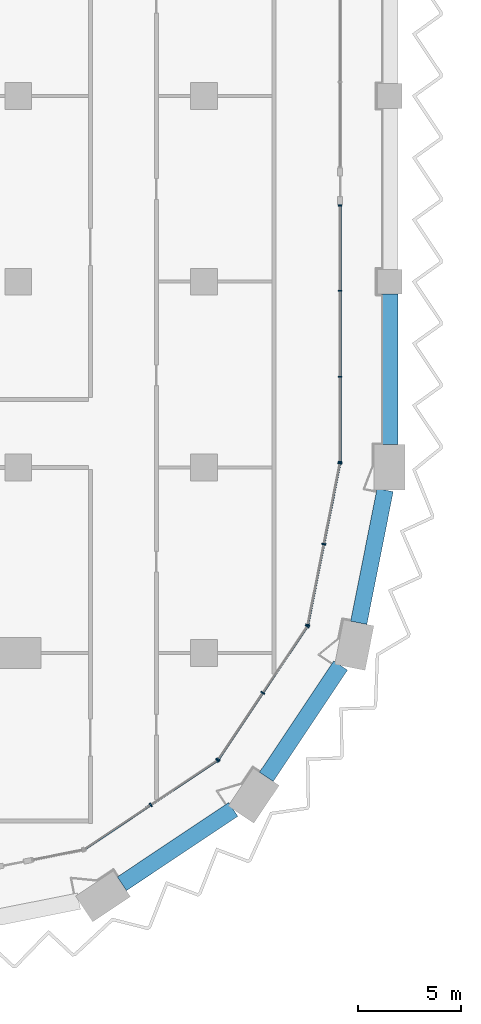
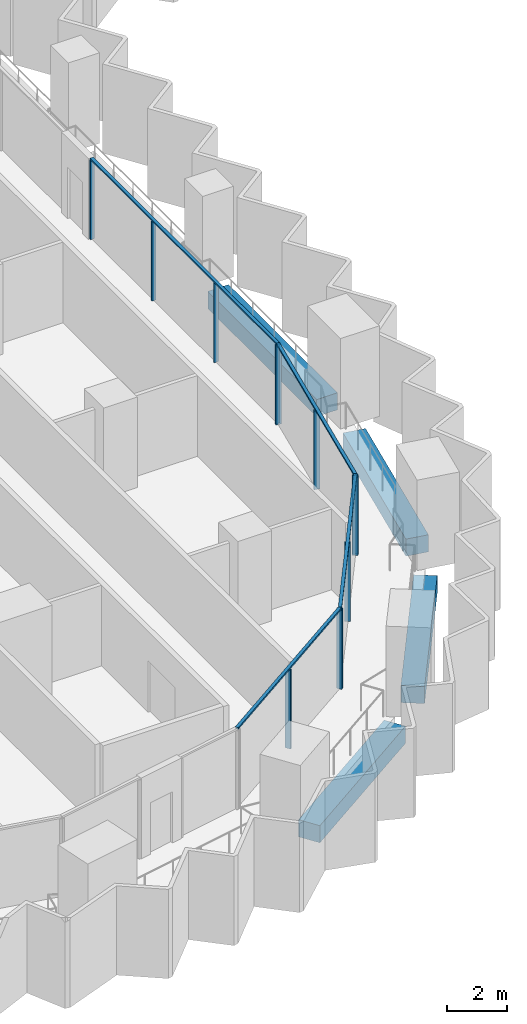
# One storey, part 3 of 23: 16 members, 4 beams, 4 elements without a shape of their own.
"""IFC4 building model written with IfcOpenShell, lengths in metres."""

from ifc_helpers import new_model, si_unit, direction, frame, origin, origin_2d, place, context, subcontext, project, spatial, rectangle, extrude, material, material_profile, profile_set, type_object, element, aggregate, save


model = new_model("IFC4")

# Units and contexts
model_context = context("Model", 3, precision=1e-05, world=origin(), true_north=direction((0.0, 1.0)))
body_context = subcontext(model_context, "Body", "Model", "MODEL_VIEW")
ifc_project = project(units=[si_unit("LENGTHUNIT", "METRE"), si_unit("AREAUNIT", "SQUARE_METRE"), si_unit("VOLUMEUNIT", "CUBIC_METRE"), si_unit("PLANEANGLEUNIT", "RADIAN"), si_unit("MASSUNIT", "GRAM", prefix="KILO")], contexts=[model_context])

# Site, building, storey
site_placement = place(None, origin())
site = spatial("IfcSite", under=ifc_project, at=site_placement, CompositionType="ELEMENT")
building_placement = place(site_placement, origin())
building = spatial("IfcBuilding", under=site, at=building_placement, Name="Hunhe Ridgeline Campus", CompositionType="ELEMENT")
storey_placement = place(building_placement, frame((0.0, 0.0, 121.800048828125)))
storey = spatial("IfcBuildingStorey", under=building, at=storey_placement, Name="L30", CompositionType="ELEMENT", Elevation=121.800048828125)

# Curtain wall, members
ifc_material_1 = material(Name="Aluminium 6063", Category="aluminium")
curtain_wall_type_1 = type_object("IfcCurtainWallType", Name="Curtain wall CW-1", PredefinedType="NOTDEFINED", material=ifc_material_1)
curtain_wall_1_placement = place(storey_placement, origin())
curtain_wall_1 = element("IfcCurtainWall", 1, at=curtain_wall_1_placement, inside=storey, type_object=curtain_wall_type_1, Name="Curtain wall 11", PredefinedType="NOTDEFINED")
ifc_material_profile_1 = material_profile(ifc_material_1, rectangle(XDim=0.159912109375, YDim=0.06005859375, at=origin_2d()))
ifc_profile_set_1 = profile_set([ifc_material_profile_1], Name="Aluminium 6063")
member_type_1 = type_object("IfcMemberType", Name="CW-1 aluminium mullion", PredefinedType="MULLION", material=ifc_profile_set_1)
member_1_placement = place(storey_placement, frame((42.59912109375, 27.266357421875, 0.0), z_axis=(0.0, 0.0, 1.0), x_axis=(-0.99999999994, 1.0975712e-05, 0.0)))
member_1 = element("IfcMember", 2, at=member_1_placement, type_object=member_type_1, Name="CW-1 mullion 1", PredefinedType="MULLION", context=body_context, shape_type="SweptSolid", body=[
    extrude(rectangle(XDim=0.159912109375, YDim=0.06005859375, at=origin_2d()), origin(), (0.0, 0.0, 1.0), 3.239990234375),
])
member_2_placement = place(storey_placement, frame((42.59912109375, 31.397216796875, 0.0), z_axis=(0.0, 0.0, 1.0), x_axis=(-0.99999999994, 1.0975712e-05, 0.0)))
member_2 = element("IfcMember", 3, at=member_2_placement, type_object=member_type_1, Name="CW-1 mullion 2", PredefinedType="MULLION", context=body_context, shape_type="SweptSolid", body=[
    extrude(rectangle(XDim=0.159912109375, YDim=0.06005859375, at=origin_2d()), origin(), (0.0, 0.0, 1.0), 3.239990234375),
])
member_3_placement = place(storey_placement, frame((42.59912109375, 35.557861328125, 0.0), z_axis=(0.0, 0.0, 1.0), x_axis=(-0.99999999994, 1.0975712e-05, 0.0)))
member_3 = element("IfcMember", 4, at=member_3_placement, type_object=member_type_1, Name="CW-1 mullion 3", PredefinedType="MULLION", context=body_context, shape_type="SweptSolid", body=[
    extrude(rectangle(XDim=0.159912109375, YDim=0.06005859375, at=origin_2d()), origin(), (0.0, 0.0, 1.0), 3.239990234375),
])
member_4_placement = place(storey_placement, frame((42.59912109375, 39.6884765625, 0.0), z_axis=(0.0, 0.0, 1.0), x_axis=(-0.99999999994, 1.0975712e-05, 0.0)))
member_4 = element("IfcMember", 5, at=member_4_placement, type_object=member_type_1, Name="CW-1 mullion 4", PredefinedType="MULLION", context=body_context, shape_type="SweptSolid", body=[
    extrude(rectangle(XDim=0.159912109375, YDim=0.06005859375, at=origin_2d()), origin(), (0.0, 0.0, 1.0), 3.239990234375),
])
ifc_material_profile_2 = material_profile(ifc_material_1, rectangle(XDim=0.1201171875, YDim=0.06005859375, at=origin_2d()))
ifc_profile_set_2 = profile_set([ifc_material_profile_2], Name="Aluminium 6063")
member_type_2 = type_object("IfcMemberType", Name="CW-1 aluminium transom", PredefinedType="USERDEFINED", material=ifc_profile_set_2)
member_5_placement = place(storey_placement, frame((42.59912109375, 27.236572265625, 3.27001953125), z_axis=(0.0, 1.0, 0.0), x_axis=(-1.0, 0.0, 0.0)))
member_5 = element("IfcMember", 6, at=member_5_placement, type_object=member_type_2, Name="CW-1 transom 1", ObjectType="TRANSOM", PredefinedType="USERDEFINED", context=body_context, shape_type="SweptSolid", body=[
    extrude(rectangle(XDim=0.1201171875, YDim=0.06005859375, at=origin_2d()), origin(), (0.0, 0.0, 1.0), 12.48193359375),
])
aggregate(curtain_wall_1, [member_5, member_1, member_2, member_3, member_4])

curtain_wall_type_2 = type_object("IfcCurtainWallType", Name="Curtain wall CW-5", PredefinedType="NOTDEFINED", material=ifc_material_1)
curtain_wall_2_placement = place(storey_placement, origin())
curtain_wall_2 = element("IfcCurtainWall", 7, at=curtain_wall_2_placement, inside=storey, type_object=curtain_wall_type_2, Name="Curtain wall 08", PredefinedType="NOTDEFINED")
ifc_material_profile_3 = material_profile(ifc_material_1, rectangle(XDim=0.199951171875, YDim=0.070068359375, at=origin_2d()))
ifc_profile_set_3 = profile_set([ifc_material_profile_3], Name="Aluminium 6063")
member_type_3 = type_object("IfcMemberType", Name="CW-5 aluminium mullion", PredefinedType="MULLION", material=ifc_profile_set_3)
member_6_placement = place(storey_placement, frame((33.42626953125, 10.647705078125, 0.0), z_axis=(0.0, 0.0, 1.0), x_axis=(-0.555570274596, 0.831469584522, 0.0)))
member_6 = element("IfcMember", 8, at=member_6_placement, type_object=member_type_3, Name="CW-5 mullion 2", PredefinedType="MULLION", context=body_context, shape_type="SweptSolid", body=[
    extrude(rectangle(XDim=0.199951171875, YDim=0.070068359375, at=origin_2d()), origin(), (0.0, 0.0, 1.0), 3.22998046875),
])
member_7_placement = place(storey_placement, frame((36.649658203125, 12.8017578125, 0.0), z_axis=(0.0, 0.0, 1.0), x_axis=(-0.555570274596, 0.831469584522, 0.0)))
member_7 = element("IfcMember", 9, at=member_7_placement, type_object=member_type_3, Name="CW-5 mullion 3", PredefinedType="MULLION", context=body_context, shape_type="SweptSolid", body=[
    extrude(rectangle(XDim=0.199951171875, YDim=0.070068359375, at=origin_2d()), origin(), (0.0, 0.0, 1.0), 3.22998046875),
])

curtain_wall_3_placement = place(storey_placement, origin())
curtain_wall_3 = element("IfcCurtainWall", 10, at=curtain_wall_3_placement, inside=storey, type_object=curtain_wall_type_2, Name="Curtain wall 09", PredefinedType="NOTDEFINED")
member_8_placement = place(storey_placement, frame((36.6982421875, 12.850341796875, 0.0), z_axis=(0.0, 0.0, 1.0), x_axis=(-0.831469584522, 0.555570274596, 0.0)))
member_8 = element("IfcMember", 11, at=member_8_placement, type_object=member_type_3, Name="CW-5 mullion 1", PredefinedType="MULLION", context=body_context, shape_type="SweptSolid", body=[
    extrude(rectangle(XDim=0.199951171875, YDim=0.070068359375, at=origin_2d()), origin(), (0.0, 0.0, 1.0), 3.22998046875),
])
member_9_placement = place(storey_placement, frame((38.852294921875, 16.07373046875, 0.0), z_axis=(0.0, 0.0, 1.0), x_axis=(-0.831469584522, 0.555570274596, 0.0)))
member_9 = element("IfcMember", 12, at=member_9_placement, type_object=member_type_3, Name="CW-5 mullion 2", PredefinedType="MULLION", context=body_context, shape_type="SweptSolid", body=[
    extrude(rectangle(XDim=0.199951171875, YDim=0.070068359375, at=origin_2d()), origin(), (0.0, 0.0, 1.0), 3.22998046875),
])
member_10_placement = place(storey_placement, frame((41.006103515625, 19.29736328125, 0.0), z_axis=(0.0, 0.0, 1.0), x_axis=(-0.831469584522, 0.555570274596, 0.0)))
member_10 = element("IfcMember", 13, at=member_10_placement, type_object=member_type_3, Name="CW-5 mullion 3", PredefinedType="MULLION", context=body_context, shape_type="SweptSolid", body=[
    extrude(rectangle(XDim=0.199951171875, YDim=0.070068359375, at=origin_2d()), origin(), (0.0, 0.0, 1.0), 3.22998046875),
])

curtain_wall_4_placement = place(storey_placement, origin())
curtain_wall_4 = element("IfcCurtainWall", 14, at=curtain_wall_4_placement, inside=storey, type_object=curtain_wall_type_2, Name="Curtain wall 10", PredefinedType="NOTDEFINED")
member_11_placement = place(storey_placement, frame((41.032470703125, 19.36083984375, 0.0), z_axis=(0.0, 0.0, 1.0), x_axis=(-0.980785284939, 0.195090299215, 0.0)))
member_11 = element("IfcMember", 15, at=member_11_placement, type_object=member_type_3, Name="CW-5 mullion 1", PredefinedType="MULLION", context=body_context, shape_type="SweptSolid", body=[
    extrude(rectangle(XDim=0.199951171875, YDim=0.070068359375, at=origin_2d()), origin(), (0.0, 0.0, 1.0), 3.22998046875),
])
member_12_placement = place(storey_placement, frame((41.812255859375, 23.281494140625, 0.0), z_axis=(0.0, 0.0, 1.0), x_axis=(-0.980785284939, 0.195090299215, 0.0)))
member_12 = element("IfcMember", 16, at=member_12_placement, type_object=member_type_3, Name="CW-5 mullion 2", PredefinedType="MULLION", context=body_context, shape_type="SweptSolid", body=[
    extrude(rectangle(XDim=0.199951171875, YDim=0.070068359375, at=origin_2d()), origin(), (0.0, 0.0, 1.0), 3.22998046875),
])
member_13_placement = place(storey_placement, frame((42.59228515625, 27.2021484375, 0.0), z_axis=(0.0, 0.0, 1.0), x_axis=(-0.980785284939, 0.195090299215, 0.0)))
member_13 = element("IfcMember", 17, at=member_13_placement, type_object=member_type_3, Name="CW-5 mullion 3", PredefinedType="MULLION", context=body_context, shape_type="SweptSolid", body=[
    extrude(rectangle(XDim=0.199951171875, YDim=0.070068359375, at=origin_2d()), origin(), (0.0, 0.0, 1.0), 3.22998046875),
])

# Member
ifc_material_profile_4 = material_profile(ifc_material_1, rectangle(XDim=0.1201171875, YDim=0.070068359375, at=origin_2d()))
ifc_profile_set_4 = profile_set([ifc_material_profile_4], Name="Aluminium 6063")
member_type_4 = type_object("IfcMemberType", Name="CW-5 aluminium transom", PredefinedType="USERDEFINED", material=ifc_profile_set_4)
member_14_placement = place(storey_placement, frame((30.173583984375, 8.474365234375, 3.264892578125), z_axis=(0.831473763475, 0.5555640203, 0.0), x_axis=(-0.5555640203, 0.831473763475, 0.0)))
member_14 = element("IfcMember", 18, at=member_14_placement, type_object=member_type_4, Name="CW-5 transom 1", ObjectType="TRANSOM", PredefinedType="USERDEFINED", context=body_context, shape_type="SweptSolid", body=[
    extrude(rectangle(XDim=0.1201171875, YDim=0.070068359375, at=origin_2d()), origin(), (0.0, 0.0, 1.0), 7.823974609375),
])

aggregate(curtain_wall_2, [member_14, member_6, member_7])

member_15_placement = place(storey_placement, frame((36.678955078125, 12.821044921875, 3.264892578125), z_axis=(0.5555640203, 0.831473763475, 0.0), x_axis=(-0.831473763475, 0.5555640203, 0.0)))
member_15 = element("IfcMember", 19, at=member_15_placement, type_object=member_type_4, Name="CW-5 transom 1", ObjectType="TRANSOM", PredefinedType="USERDEFINED", context=body_context, shape_type="SweptSolid", body=[
    extrude(rectangle(XDim=0.1201171875, YDim=0.070068359375, at=origin_2d()), origin(), (0.0, 0.0, 1.0), 7.823974609375),
])

aggregate(curtain_wall_3, [member_15, member_8, member_9, member_10])

member_16_placement = place(storey_placement, frame((41.025634765625, 19.326416015625, 3.264892578125), z_axis=(0.195097290093, 0.980783894341, 0.0), x_axis=(-0.980783894341, 0.195097290093, 0.0)))
member_16 = element("IfcMember", 20, at=member_16_placement, type_object=member_type_4, Name="CW-5 transom 1", ObjectType="TRANSOM", PredefinedType="USERDEFINED", context=body_context, shape_type="SweptSolid", body=[
    extrude(rectangle(XDim=0.1201171875, YDim=0.070068359375, at=origin_2d()), origin(), (0.0, 0.0, 1.0), 8.065185546875),
])

aggregate(curtain_wall_4, [member_16, member_11, member_12, member_13])

# Beams
ifc_material_2 = material(Name="Concrete C60", Category="concrete")
ifc_material_profile_5 = material_profile(ifc_material_2, rectangle(XDim=0.800048828125, YDim=0.699951171875, at=origin_2d()))
ifc_profile_set_5 = profile_set([ifc_material_profile_5], Name="Concrete C60")
beam_type = type_object("IfcBeamType", Name="RC spandrel beam 800x700 Concrete C60", PredefinedType="SPANDREL", material=ifc_profile_set_5)
for number, where, z_axis, x_axis, name in (
    (21, (32.02490234375, 6.82373046875, -0.60009765625), (0.831459384183, 0.555585540178, 0.0), (-0.555585540178, 0.831459384183, 0.0), "Spandrel beam B1-6 L30"),
    (22, (39.02099609375, 12.004638671875, -0.60009765625), (0.555559527577, 0.831476765351, 0.0), (-0.831476765351, 0.555559527577, 0.0), "Spandrel beam B1-7 L30"),
):
    element("IfcBeam", number, at=place(storey_placement, frame(where, z_axis=z_axis, x_axis=x_axis)), inside=storey, type_object=beam_type, Name=name, PredefinedType="SPANDREL", context=body_context, shape_type="SweptSolid", body=[
        extrude(rectangle(XDim=0.800048828125, YDim=0.699951171875, at=origin_2d()), origin(), (0.0, 0.0, 1.0), 6.488525390625),
    ])
beam_1_placement = place(storey_placement, frame((43.501953125, 19.468505859375, -0.60009765625), z_axis=(0.195092166671, 0.980784913477, 0.0), x_axis=(-0.980784913477, 0.195092166671, 0.0)))
element("IfcBeam", 23, at=beam_1_placement, inside=storey, type_object=beam_type, Name="Spandrel beam B1-8 L30", PredefinedType="SPANDREL", context=body_context, shape_type="SweptSolid", body=[
    extrude(rectangle(XDim=0.800048828125, YDim=0.699951171875, at=origin_2d()), origin(), (0.0, 0.0, 1.0), 6.557373046875),
])
beam_2_placement = place(storey_placement, frame((45.0, 28.10009765625, -0.60009765625), z_axis=(0.0, 1.0, 0.0), x_axis=(-1.0, 0.0, 0.0)))
element("IfcBeam", 24, at=beam_2_placement, inside=storey, type_object=beam_type, Name="Spandrel beam B1-9 L30", PredefinedType="SPANDREL", context=body_context, shape_type="SweptSolid", body=[
    extrude(rectangle(XDim=0.800048828125, YDim=0.699951171875, at=origin_2d()), origin(), (0.0, 0.0, 1.0), 7.2998046875),
])

save(model, "model.ifc")
